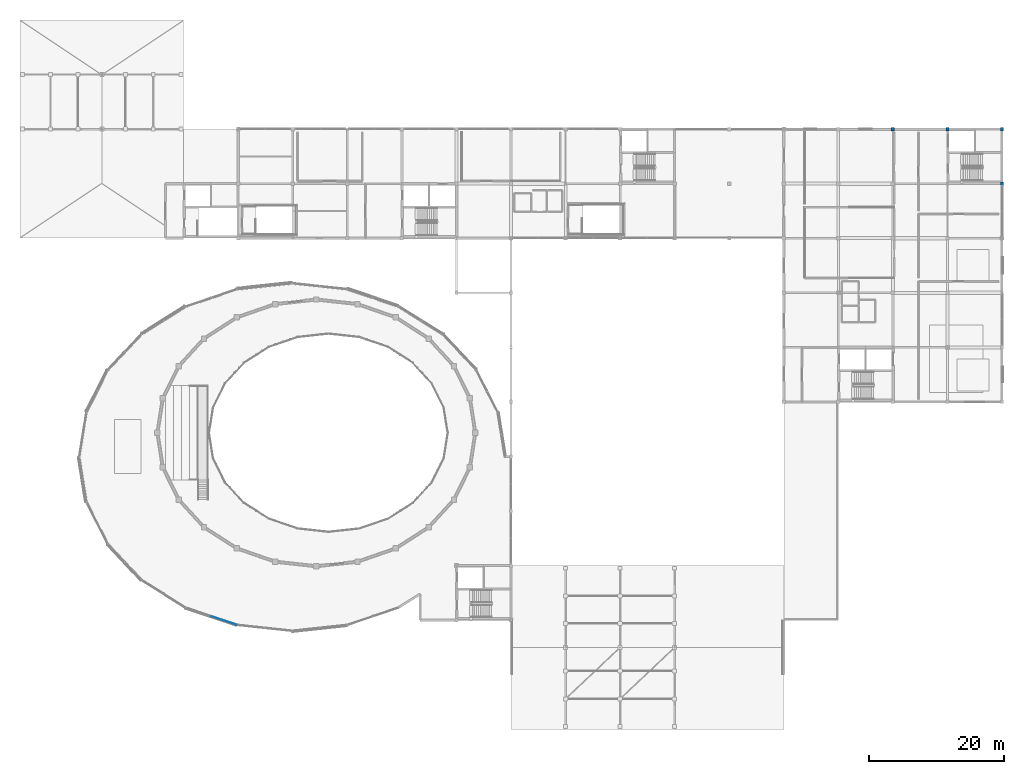
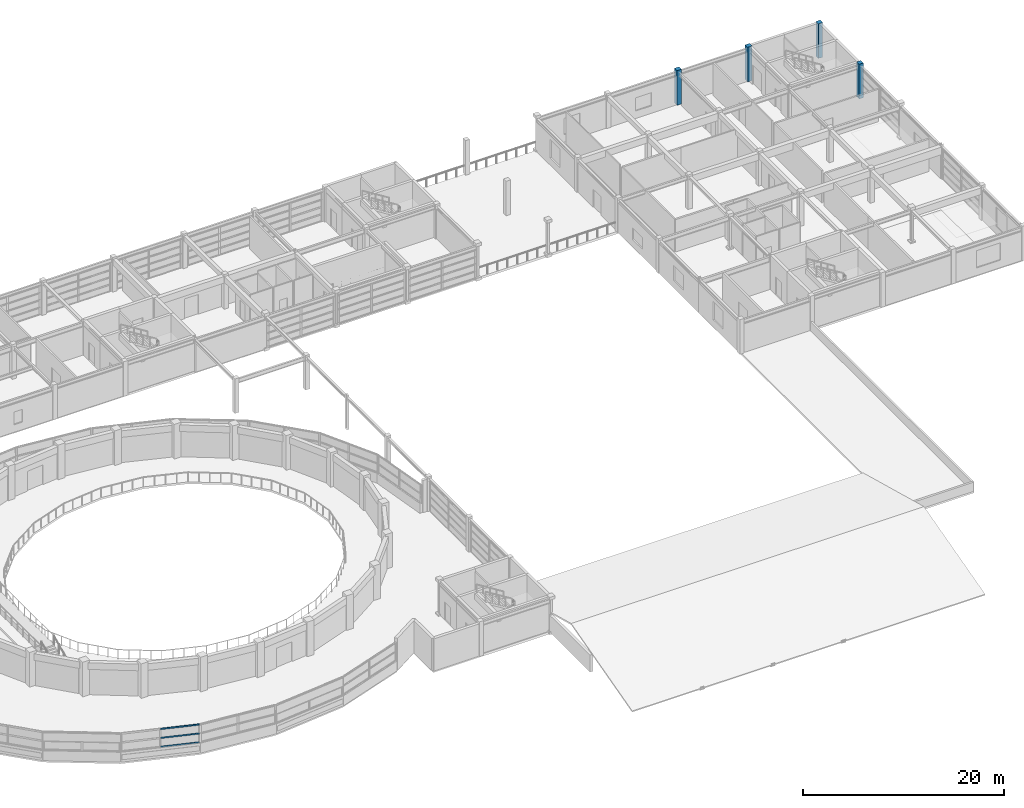
# One storey, part 9 of 54: 4 columns, 3 members, 1 element without a shape of its own.
"""IFC4 building model written with IfcOpenShell, lengths in metres."""

import ifcopenshell
import ifcopenshell.guid

model = None  # the IFC model being written
_history = None  # IfcOwnerHistory: only IFC2X3 demands one
_inside = {}  # id of a spatial element -> (the spatial element, [elements in it])
_under = {}  # id of a project, library or spatial element -> (it, [spatial elements below it])
_declared = {}  # id of a project -> (the project, [libraries it declares])
_typed = {}  # id of a type object -> (the type object, [elements of that type])
_made_of = {}  # id of a material, layer set ... -> (it, [elements and type objects made of it])


def new_model(schema):
    """Start an empty IFC model of exactly this schema.

    Asked for "IFC4X3", IfcOpenShell would pick the latest addendum, in which some entities
    have other attributes; the version numbers below select the first issue.
    IFC2X3 requires an IfcOwnerHistory on every rooted entity: one is made here for all.
    """
    global model, _history
    if schema == "IFC4X3":
        model = ifcopenshell.file(schema_version=(4, 3, 0, 0))
    else:
        model = ifcopenshell.file(schema=schema)
    _inside.clear()
    _under.clear()
    _declared.clear()
    _typed.clear()
    _made_of.clear()
    _history = None
    if model.schema == "IFC2X3":
        org = make("IfcOrganization", Name="unknown")
        user = make(
            "IfcPersonAndOrganization",
            ThePerson=make("IfcPerson", FamilyName="unknown"),
            TheOrganization=org,
        )
        app = make(
            "IfcApplication",
            ApplicationDeveloper=org,
            Version="unknown",
            ApplicationFullName="unknown",
            ApplicationIdentifier="unknown",
        )
        _history = make(
            "IfcOwnerHistory",
            OwningUser=user,
            OwningApplication=app,
            ChangeAction="ADDED",
            CreationDate=0,
        )
    return model


def make(cls, **values):
    """One entity of the class cls with the attributes given. An attribute that is None is left unset."""
    return model.create_entity(
        cls, **{name: value for name, value in values.items() if value is not None}
    )


def rooted(cls, **values):
    """An entity with a GlobalId (a new one), such as an element, a storey or a relation."""
    return make(cls, GlobalId=ifcopenshell.guid.new(), OwnerHistory=_history, **values)


def si_unit(unit_type, name, prefix=None):
    """IfcSIUnit, for example si_unit("LENGTHUNIT", "METRE", prefix="MILLI")."""
    return make("IfcSIUnit", UnitType=unit_type, Prefix=prefix, Name=name)


def assignment(units):
    """IfcUnitAssignment: the units of a project."""
    return None if units is None else make("IfcUnitAssignment", Units=units)


def point(xyz):
    """IfcCartesianPoint."""
    return None if xyz is None else make("IfcCartesianPoint", Coordinates=xyz)


def direction(xyz):
    """IfcDirection."""
    return None if xyz is None else make("IfcDirection", DirectionRatios=xyz)


def frame(location, z_axis=None, x_axis=None):
    """IfcAxis2Placement3D, a coordinate frame: its origin and axes. An axis left out is left unset."""
    return make(
        "IfcAxis2Placement3D",
        Location=point(location),
        Axis=direction(z_axis),
        RefDirection=direction(x_axis),
    )


def frame_2d(location, x_axis=None):
    """IfcAxis2Placement2D, a coordinate frame in the plane: its origin and x axis."""
    return make(
        "IfcAxis2Placement2D", Location=point(location), RefDirection=direction(x_axis)
    )


def origin():
    """The frame at (0, 0, 0) with its axes left unset."""
    return frame((0.0, 0.0, 0.0))


def origin_2d():
    """The frame at (0, 0) in the plane with its x axis left unset."""
    return frame_2d((0.0, 0.0))


def place(relative_to, where):
    """IfcLocalPlacement: puts the frame where relative to a parent placement (None: the world)."""
    return make(
        "IfcLocalPlacement", PlacementRelTo=relative_to, RelativePlacement=where
    )


def context(
    kind, dimensions, precision=None, world=None, true_north=None, identifier=None
):
    """IfcGeometricRepresentationContext, for example the 3D "Model" context."""
    return make(
        "IfcGeometricRepresentationContext",
        ContextIdentifier=identifier,
        ContextType=kind,
        CoordinateSpaceDimension=dimensions,
        Precision=precision,
        WorldCoordinateSystem=world,
        TrueNorth=true_north,
    )


def subcontext(parent, identifier, kind, view, scale=None):
    """IfcGeometricRepresentationSubContext, for example "Body" below "Model"."""
    return make(
        "IfcGeometricRepresentationSubContext",
        ContextIdentifier=identifier,
        ContextType=kind,
        ParentContext=parent,
        TargetScale=scale,
        TargetView=view,
    )


def project(units=None, contexts=None):
    """IfcProject with its units and contexts."""
    return rooted(
        "IfcProject",
        Name="project",
        RepresentationContexts=contexts,
        UnitsInContext=assignment(units),
    )


def spatial(cls, under=None, at=None, **own):
    """A site, building, storey or space (cls), placed at a placement, below another one or the project."""
    s = rooted(cls, ObjectPlacement=at, **own)
    if under is not None:
        _under.setdefault(under.id(), (under, []))[1].append(s)
    return s


def profile(cls, at=None, kind="AREA", **sizes):
    """A parametric profile (cls). Its sizes go by their IFC names, for example OverallWidth=200.0."""
    return make(cls, ProfileType=kind, Position=at, **sizes)


def rectangle(**sizes):
    """IfcRectangleProfileDef."""
    return profile("IfcRectangleProfileDef", **sizes)


def extrude(swept, where, along, depth):
    """IfcExtrudedAreaSolid: the profile swept, set in the frame where, extruded along a direction by depth."""
    return make(
        "IfcExtrudedAreaSolid",
        SweptArea=swept,
        Position=where,
        ExtrudedDirection=direction(along),
        Depth=depth,
    )


def shape(context_of_items, identifier, shape_type, items):
    """IfcShapeRepresentation: the items that make up one representation, for example the "Body"."""
    return make(
        "IfcShapeRepresentation",
        ContextOfItems=context_of_items,
        RepresentationIdentifier=identifier,
        RepresentationType=shape_type,
        Items=items,
    )


def material(Name=None, Category=None):
    """IfcMaterial."""
    return make("IfcMaterial", Name=Name, Category=Category)


def material_profile(
    of_material, cross_section, Name=None, Category=None, Priority=None
):
    """IfcMaterialProfile: a cross section and its material."""
    return make(
        "IfcMaterialProfile",
        Name=Name,
        Material=of_material,
        Profile=cross_section,
        Priority=Priority,
        Category=Category,
    )


def profile_set(profiles, Name=None, composite=None):
    """IfcMaterialProfileSet."""
    return make(
        "IfcMaterialProfileSet",
        Name=Name,
        MaterialProfiles=profiles,
        CompositeProfile=composite,
    )


def made_of(thing, what):
    """Note that an element or type object is made of a material, layer set ...; save() writes the relation."""
    if what is not None:
        _made_of.setdefault(what.id(), (what, []))[1].append(thing)
    return thing


def type_object(cls, material=None, **own):
    """A type object (cls), such as IfcWallType, which elements share."""
    return made_of(rooted(cls, **own), material)


def element(
    cls,
    number,
    at=None,
    inside=None,
    cuts=None,
    type_object=None,
    material=None,
    context=None,
    identifier="Body",
    shape_type=None,
    held_by="IfcProductDefinitionShape",
    body=None,
    shapes=None,
    **own,
):
    """One element of the class cls, such as IfcWall. Its Tag is "e" and its number.

    at: its placement. inside: the storey or other place that contains it. cuts: it is an
    opening in that element (IfcRelVoidsElement). A single representation is given by context,
    identifier, shape_type and body (its items); several are given by shapes. held_by: the class
    of the entity that holds the representations. save() writes the other relations.
    """
    e = rooted(cls, Tag="e%d" % number, ObjectPlacement=at, **own)
    if body is not None:
        shapes = [shape(context, identifier, shape_type, body)]
    if shapes is not None:
        e.Representation = make(held_by, Representations=shapes)
    if inside is not None:
        _inside.setdefault(inside.id(), (inside, []))[1].append(e)
    if cuts is not None:
        rooted(
            "IfcRelVoidsElement", RelatingBuildingElement=cuts, RelatedOpeningElement=e
        )
    if type_object is not None:
        _typed.setdefault(type_object.id(), (type_object, []))[1].append(e)
    return made_of(e, material)


def aggregate(whole, parts):
    """IfcRelAggregates: a whole, such as a stair, and the parts it consists of."""
    return rooted("IfcRelAggregates", RelatingObject=whole, RelatedObjects=parts)


def save(model, path):
    """Write the relations noted so far, then the file.

    IfcRelAggregates (storeys below a building ...), IfcRelContainedInSpatialStructure (elements
    in a storey), IfcRelDefinesByType, IfcRelAssociatesMaterial and IfcRelDeclares: one each for
    every whole, place, type object, material and project.
    """
    for whole, parts in _under.values():
        aggregate(whole, parts)
    for where, things in _inside.values():
        rooted(
            "IfcRelContainedInSpatialStructure",
            RelatedElements=things,
            RelatingStructure=where,
        )
    for kind, things in _typed.values():
        rooted("IfcRelDefinesByType", RelatedObjects=things, RelatingType=kind)
    for what, things in _made_of.values():
        rooted("IfcRelAssociatesMaterial", RelatedObjects=things, RelatingMaterial=what)
    for by, libraries in _declared.values():
        rooted("IfcRelDeclares", RelatingContext=by, RelatedDefinitions=libraries)
    model.write(path)


model = new_model("IFC4")

# Units and contexts
model_context = context("Model", 3, precision=1e-05, world=origin(), true_north=direction((0.0, 1.0)))
body_context = subcontext(model_context, "Body", "Model", "MODEL_VIEW")
ifc_project = project(units=[si_unit("LENGTHUNIT", "METRE"), si_unit("AREAUNIT", "SQUARE_METRE"), si_unit("VOLUMEUNIT", "CUBIC_METRE"), si_unit("PLANEANGLEUNIT", "RADIAN"), si_unit("MASSUNIT", "GRAM", prefix="KILO")], contexts=[model_context])

# Site, building, storey
site_placement = place(None, origin())
site = spatial("IfcSite", under=ifc_project, at=site_placement, CompositionType="ELEMENT")
building_placement = place(site_placement, origin())
building = spatial("IfcBuilding", under=site, at=building_placement, Name="Parian Resonance Hall", CompositionType="ELEMENT")
storey_placement = place(building_placement, frame((0.0, 0.0, 15.0)))
storey = spatial("IfcBuildingStorey", under=building, at=storey_placement, Name="L03", CompositionType="ELEMENT", Elevation=15.0)

# Columns
ifc_material_1 = material(Name="Concrete C40/50", Category="concrete")
ifc_material_profile_1 = material_profile(ifc_material_1, rectangle(XDim=0.5, YDim=0.5, at=origin_2d()), Name="RC-COL-500x500")
ifc_profile_set_1 = profile_set([ifc_material_profile_1], Name="Concrete C40/50")
column_type = type_object("IfcColumnType", Name="COL-RC500", PredefinedType="COLUMN", material=ifc_profile_set_1)
for number, where, z_axis, x_axis, name in (
    (1, (129.60009765625, 89.10009765625, 0.0), (0.0, 0.0, 1.0), (1.0, 0.0, 0.0), "Column G17-12 L03"),
    (2, (137.699951171875, 89.10009765625, 0.0), (0.0, 0.0, 1.0), (1.0, 0.0, 0.0), "Column G18-12 L03"),
    (3, (145.800048828125, 81.0, 0.0), (0.0, 0.0, 1.0), (1.0, 0.0, 0.0), "Column G19-11 L03"),
    (4, (145.800048828125, 89.10009765625, 0.0), (0.0, 0.0, 1.0), (1.0, 0.0, 0.0), "Column G19-12 L03"),
):
    element("IfcColumn", number, at=place(storey_placement, frame(where, z_axis=z_axis, x_axis=x_axis)), inside=storey, type_object=column_type, Name=name, PredefinedType="COLUMN", context=body_context, shape_type="SweptSolid", body=[
        extrude(rectangle(XDim=0.5, YDim=0.5, at=origin_2d()), origin(), (0.0, 0.0, 1.0), 4.199951171875),
    ])

# Curtain wall, members
ifc_material_2 = material(Name="Bronze-anodised aluminium frame", Category="aluminium")
curtain_wall_type = type_object("IfcCurtainWallType", Name="CW-SYS-01", PredefinedType="NOTDEFINED", material=ifc_material_2)
curtain_wall_placement = place(storey_placement, origin())
curtain_wall = element("IfcCurtainWall", 5, at=curtain_wall_placement, inside=storey, type_object=curtain_wall_type, Name="Elliptical R3 recessed strip curtain wall 17", PredefinedType="NOTDEFINED")
ifc_material_3 = material(Name="Bronze-anodised aluminium frame", Category="aluminium")
ifc_material_profile_2 = material_profile(ifc_material_3, rectangle(XDim=0.06494140625, YDim=0.1201171875, at=origin_2d()), Name="CWT-65x120")
ifc_profile_set_2 = profile_set([ifc_material_profile_2], Name="Bronze-anodised aluminium frame")
member_type = type_object("IfcMemberType", Name="CWT-65x120", PredefinedType="USERDEFINED", material=ifc_profile_set_2)
member_1_placement = place(storey_placement, frame((32.15966796875, 15.5, 1.224609375), z_axis=(-0.94730601585, 0.32033000536, 0.0), x_axis=(-0.32033000536, -0.94730601585, 0.0)))
member_1 = element("IfcMember", 6, at=member_1_placement, type_object=member_type, Name="CW-01 transom 1.1", ObjectType="TRANSOM", PredefinedType="USERDEFINED", context=body_context, shape_type="SweptSolid", body=[
    extrude(rectangle(XDim=0.06494140625, YDim=0.1201171875, at=origin_2d()), origin(), (0.0, 0.0, 1.0), 3.925048828125),
])
member_2_placement = place(storey_placement, frame((32.15966796875, 15.5, 2.300048828125), z_axis=(-0.94730601585, 0.32033000536, 0.0), x_axis=(-0.32033000536, -0.94730601585, 0.0)))
member_2 = element("IfcMember", 7, at=member_2_placement, type_object=member_type, Name="CW-01 transom 1.2", ObjectType="TRANSOM", PredefinedType="USERDEFINED", context=body_context, shape_type="SweptSolid", body=[
    extrude(rectangle(XDim=0.06494140625, YDim=0.1201171875, at=origin_2d()), origin(), (0.0, 0.0, 1.0), 3.925048828125),
])
member_3_placement = place(storey_placement, frame((32.15966796875, 15.5, 3.37744140625), z_axis=(-0.94730601585, 0.32033000536, 0.0), x_axis=(-0.32033000536, -0.94730601585, 0.0)))
member_3 = element("IfcMember", 8, at=member_3_placement, type_object=member_type, Name="CW-01 transom 1.3", ObjectType="TRANSOM", PredefinedType="USERDEFINED", context=body_context, shape_type="SweptSolid", body=[
    extrude(rectangle(XDim=0.06494140625, YDim=0.1201171875, at=origin_2d()), origin(), (0.0, 0.0, 1.0), 3.925048828125),
])
aggregate(curtain_wall, [member_1, member_2, member_3])

save(model, "model.ifc")
